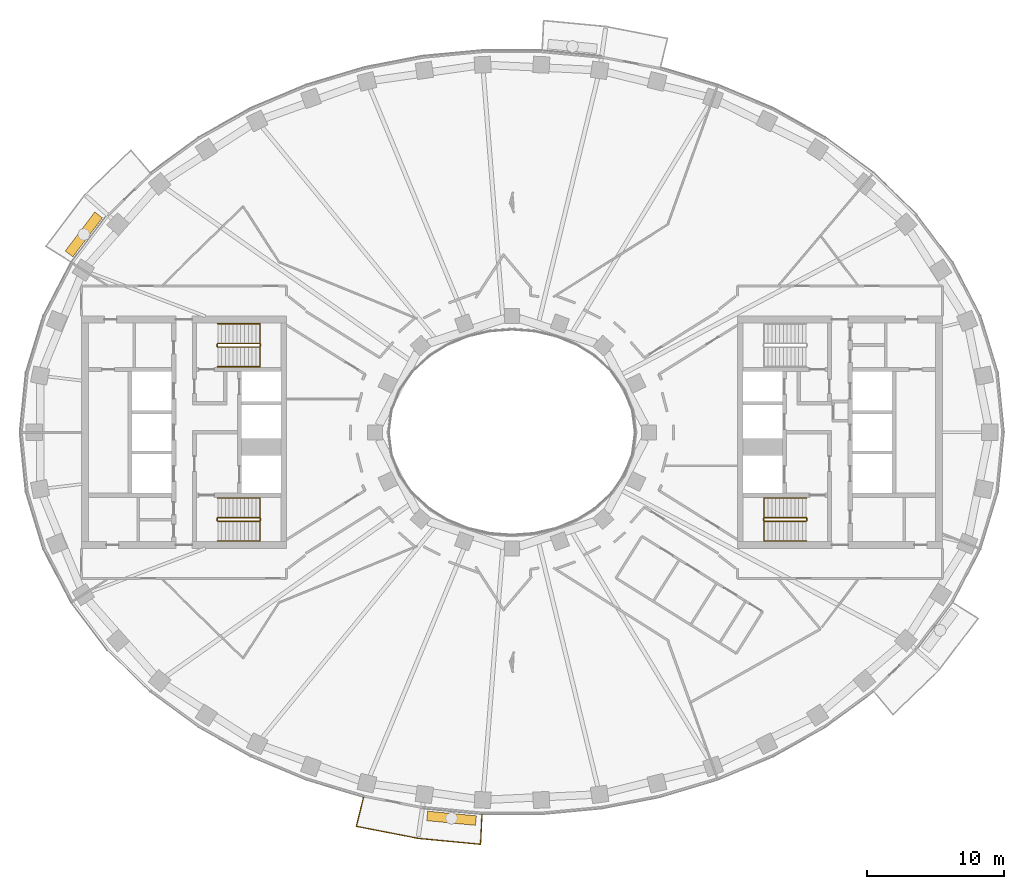
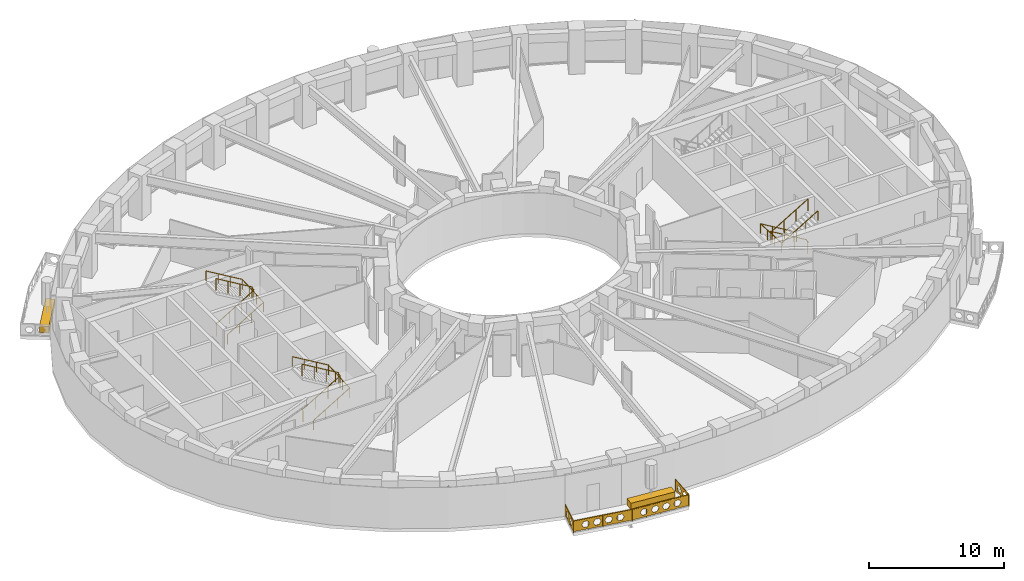
# One storey, part 14 of 16: 7 railings, 2 coverings.
"""IFC4 building model written with IfcOpenShell, lengths in metres."""

from ifc_helpers import new_model, si_unit, direction, frame, origin, origin_2d, place, context, subcontext, project, spatial, polyline, rectangle, outline, extrude, material, type_object, element, save


model = new_model("IFC4")

# Units and contexts
model_context = context("Model", 3, precision=1e-05, world=origin(), true_north=direction((0.0, 1.0)))
body_context = subcontext(model_context, "Body", "Model", "MODEL_VIEW")
ifc_project = project(units=[si_unit("LENGTHUNIT", "METRE"), si_unit("AREAUNIT", "SQUARE_METRE"), si_unit("VOLUMEUNIT", "CUBIC_METRE"), si_unit("PLANEANGLEUNIT", "RADIAN"), si_unit("MASSUNIT", "GRAM", prefix="KILO")], contexts=[model_context])

# Site, building, storey
site_placement = place(None, origin())
site = spatial("IfcSite", under=ifc_project, at=site_placement, CompositionType="ELEMENT")
building_placement = place(site_placement, origin())
building = spatial("IfcBuilding", under=site, at=building_placement, Name="Noorbagh Ring Tower", CompositionType="ELEMENT")
storey_placement = place(building_placement, frame((0.0, 0.0, 166.0)))
storey = spatial("IfcBuildingStorey", under=building, at=storey_placement, Name="L38", CompositionType="ELEMENT", Elevation=166.0)

# Railings
ifc_material_1 = material(Name="Stainless steel", Category="steel")
railing_type_1 = type_object("IfcRailingType", Name="CORE-STAIR-GUARD", PredefinedType="GUARDRAIL", material=ifc_material_1)
railing_1_placement = place(storey_placement, frame((-21.580078125, 6.300048828125, 0.0)))
element("IfcRailing", 1, at=railing_1_placement, inside=storey, type_object=railing_type_1, Name="L38 ST1 stair guard", PredefinedType="GUARDRAIL", context=body_context, shape_type="SweptSolid", body=[
    extrude(rectangle(XDim=0.048095703125, YDim=0.048095703125, at=origin_2d()), frame((0.0, 0.0, 1.076171875), z_axis=(0.0, 1.0, 0.0), x_axis=(-1.0, 0.0, 0.0)), (0.0, 0.0, 1.0), 0.14990234375),
    extrude(rectangle(XDim=0.048095703125, YDim=0.048095703125, at=origin_2d()), frame((0.0, 0.14990234375, 1.076171875), z_axis=(0.188775798145, -0.754182335027, 0.628945707965), x_axis=(0.970072785993, 0.242814311512, 0.0)), (0.0, 0.0, 1.0), 0.26513671875),
    extrude(rectangle(XDim=0.048095703125, YDim=0.048095703125, at=origin_2d()), frame((0.050048828125, -0.050048828125, 1.24267578125), z_axis=(0.859308565015, 0.0, 0.511457515432), x_axis=(0.0, 1.0, 0.0)), (0.0, 0.0, 1.0), 3.58447265625),
    extrude(rectangle(XDim=0.048095703125, YDim=0.048095703125, at=origin_2d()), frame((3.130126953125, -0.050048828125, 3.076171875), z_axis=(0.707106781187, 0.707106781187, 0.0), x_axis=(-0.707106781187, 0.707106781187, 0.0)), (0.0, 0.0, 1.0), 0.07080078125),
    extrude(rectangle(XDim=0.048095703125, YDim=0.048095703125, at=origin_2d()), frame((3.18017578125, 0.0, 3.076171875), z_axis=(0.0, 1.0, 0.0), x_axis=(-1.0, 0.0, 0.0)), (0.0, 0.0, 1.0), 0.14990234375),
    extrude(rectangle(XDim=0.048095703125, YDim=0.048095703125, at=origin_2d()), frame((3.18017578125, 0.14990234375, 3.076171875), z_axis=(-0.27628659633, 0.27628659633, 0.920506074601), x_axis=(-0.707106781187, -0.707106781187, 0.0)), (0.0, 0.0, 1.0), 0.18115234375),
    extrude(rectangle(XDim=0.048095703125, YDim=0.048095703125, at=origin_2d()), frame((3.130126953125, 0.199951171875, 3.24267578125), z_axis=(-0.859308565015, 0.0, 0.511457515432), x_axis=(0.0, -1.0, 0.0)), (0.0, 0.0, 1.0), 3.58447265625),
    extrude(rectangle(XDim=0.0419921875, YDim=0.0419921875, at=origin_2d()), origin(), (0.0, 0.0, 1.0), 1.052001953125),
    extrude(rectangle(XDim=0.0419921875, YDim=0.0419921875, at=origin_2d()), frame((1.07666015625, -0.050048828125, 0.77783203125)), (0.0, 0.0, 1.0), 1.052001953125),
    extrude(rectangle(XDim=0.0419921875, YDim=0.0419921875, at=origin_2d()), frame((2.103515625, -0.050048828125, 1.388916015625)), (0.0, 0.0, 1.0), 1.052001953125),
    extrude(rectangle(XDim=0.0419921875, YDim=0.0419921875, at=origin_2d()), frame((3.130126953125, -0.050048828125, 2.0)), (0.0, 0.0, 1.0), 1.052001953125),
    extrude(rectangle(XDim=0.0419921875, YDim=0.0419921875, at=origin_2d()), frame((3.130126953125, 0.199951171875, 2.166748046875)), (0.0, 0.0, 1.0), 1.052001953125),
    extrude(rectangle(XDim=0.0419921875, YDim=0.0419921875, at=origin_2d()), frame((2.103515625, 0.199951171875, 2.77783203125)), (0.0, 0.0, 1.0), 1.052001953125),
    extrude(rectangle(XDim=0.0419921875, YDim=0.0419921875, at=origin_2d()), frame((1.07666015625, 0.199951171875, 3.388916015625)), (0.0, 0.0, 1.0), 1.052001953125),
    extrude(rectangle(XDim=0.0419921875, YDim=0.0419921875, at=origin_2d()), frame((0.050048828125, 0.199951171875, 4.0)), (0.0, 0.0, 1.0), 1.052001953125),
])
railing_2_placement = place(storey_placement, frame((-21.580078125, -6.449951171875, 0.0)))
element("IfcRailing", 2, at=railing_2_placement, inside=storey, type_object=railing_type_1, Name="L38 ST2 stair guard", PredefinedType="GUARDRAIL", context=body_context, shape_type="SweptSolid", body=[
    extrude(rectangle(XDim=0.048095703125, YDim=0.048095703125, at=origin_2d()), frame((0.0, 0.0, 1.076171875), z_axis=(0.0, 1.0, 0.0), x_axis=(-1.0, 0.0, 0.0)), (0.0, 0.0, 1.0), 0.14990234375),
    extrude(rectangle(XDim=0.048095703125, YDim=0.048095703125, at=origin_2d()), frame((0.0, 0.14990234375, 1.076171875), z_axis=(0.188775798145, -0.754182335027, 0.628945707965), x_axis=(0.970072785993, 0.242814311512, 0.0)), (0.0, 0.0, 1.0), 0.26513671875),
    extrude(rectangle(XDim=0.048095703125, YDim=0.048095703125, at=origin_2d()), frame((0.050048828125, -0.050048828125, 1.24267578125), z_axis=(0.859308565015, 0.0, 0.511457515432), x_axis=(0.0, 1.0, 0.0)), (0.0, 0.0, 1.0), 3.58447265625),
    extrude(rectangle(XDim=0.048095703125, YDim=0.048095703125, at=origin_2d()), frame((3.130126953125, -0.050048828125, 3.076171875), z_axis=(0.707106781187, 0.707106781187, 0.0), x_axis=(-0.707106781187, 0.707106781187, 0.0)), (0.0, 0.0, 1.0), 0.07080078125),
    extrude(rectangle(XDim=0.048095703125, YDim=0.048095703125, at=origin_2d()), frame((3.18017578125, 0.0, 3.076171875), z_axis=(0.0, 1.0, 0.0), x_axis=(-1.0, 0.0, 0.0)), (0.0, 0.0, 1.0), 0.14990234375),
    extrude(rectangle(XDim=0.048095703125, YDim=0.048095703125, at=origin_2d()), frame((3.18017578125, 0.14990234375, 3.076171875), z_axis=(-0.27628659633, 0.27628659633, 0.920506074601), x_axis=(-0.707106781187, -0.707106781187, 0.0)), (0.0, 0.0, 1.0), 0.18115234375),
    extrude(rectangle(XDim=0.048095703125, YDim=0.048095703125, at=origin_2d()), frame((3.130126953125, 0.199951171875, 3.24267578125), z_axis=(-0.859308565015, 0.0, 0.511457515432), x_axis=(0.0, -1.0, 0.0)), (0.0, 0.0, 1.0), 3.58447265625),
    extrude(rectangle(XDim=0.0419921875, YDim=0.0419921875, at=origin_2d()), origin(), (0.0, 0.0, 1.0), 1.052001953125),
    extrude(rectangle(XDim=0.0419921875, YDim=0.0419921875, at=origin_2d()), frame((1.07666015625, -0.050048828125, 0.77783203125)), (0.0, 0.0, 1.0), 1.052001953125),
    extrude(rectangle(XDim=0.0419921875, YDim=0.0419921875, at=origin_2d()), frame((2.103515625, -0.050048828125, 1.388916015625)), (0.0, 0.0, 1.0), 1.052001953125),
    extrude(rectangle(XDim=0.0419921875, YDim=0.0419921875, at=origin_2d()), frame((3.130126953125, -0.050048828125, 2.0)), (0.0, 0.0, 1.0), 1.052001953125),
    extrude(rectangle(XDim=0.0419921875, YDim=0.0419921875, at=origin_2d()), frame((3.130126953125, 0.199951171875, 2.166748046875)), (0.0, 0.0, 1.0), 1.052001953125),
    extrude(rectangle(XDim=0.0419921875, YDim=0.0419921875, at=origin_2d()), frame((2.103515625, 0.199951171875, 2.77783203125)), (0.0, 0.0, 1.0), 1.052001953125),
    extrude(rectangle(XDim=0.0419921875, YDim=0.0419921875, at=origin_2d()), frame((1.07666015625, 0.199951171875, 3.388916015625)), (0.0, 0.0, 1.0), 1.052001953125),
    extrude(rectangle(XDim=0.0419921875, YDim=0.0419921875, at=origin_2d()), frame((0.050048828125, 0.199951171875, 4.0)), (0.0, 0.0, 1.0), 1.052001953125),
])
railing_3_placement = place(storey_placement, frame((21.580078125, -6.300048828125, 0.0)))
element("IfcRailing", 3, at=railing_3_placement, inside=storey, type_object=railing_type_1, Name="L38 ST4 stair guard", PredefinedType="GUARDRAIL", context=body_context, shape_type="SweptSolid", body=[
    extrude(rectangle(XDim=0.048095703125, YDim=0.048095703125, at=origin_2d()), frame((0.0, 0.0, 1.076171875), z_axis=(0.0, -1.0, 0.0), x_axis=(1.0, 0.0, 0.0)), (0.0, 0.0, 1.0), 0.14990234375),
    extrude(rectangle(XDim=0.048095703125, YDim=0.048095703125, at=origin_2d()), frame((0.0, -0.14990234375, 1.076171875), z_axis=(-0.188775798145, 0.754182335027, 0.628945707965), x_axis=(-0.970072785993, -0.242814311512, 0.0)), (0.0, 0.0, 1.0), 0.26513671875),
    extrude(rectangle(XDim=0.048095703125, YDim=0.048095703125, at=origin_2d()), frame((-0.050048828125, 0.050048828125, 1.24267578125), z_axis=(-0.859308565015, 0.0, 0.511457515432), x_axis=(0.0, -1.0, 0.0)), (0.0, 0.0, 1.0), 3.58447265625),
    extrude(rectangle(XDim=0.048095703125, YDim=0.048095703125, at=origin_2d()), frame((-3.130126953125, 0.050048828125, 3.076171875), z_axis=(-0.707106781187, -0.707106781187, 0.0), x_axis=(0.707106781187, -0.707106781187, 0.0)), (0.0, 0.0, 1.0), 0.07080078125),
    extrude(rectangle(XDim=0.048095703125, YDim=0.048095703125, at=origin_2d()), frame((-3.18017578125, 0.0, 3.076171875), z_axis=(0.0, -1.0, 0.0), x_axis=(1.0, 0.0, 0.0)), (0.0, 0.0, 1.0), 0.14990234375),
    extrude(rectangle(XDim=0.048095703125, YDim=0.048095703125, at=origin_2d()), frame((-3.18017578125, -0.14990234375, 3.076171875), z_axis=(0.27628659633, -0.27628659633, 0.920506074601), x_axis=(0.707106781187, 0.707106781187, 0.0)), (0.0, 0.0, 1.0), 0.18115234375),
    extrude(rectangle(XDim=0.048095703125, YDim=0.048095703125, at=origin_2d()), frame((-3.130126953125, -0.199951171875, 3.24267578125), z_axis=(0.859308565015, 0.0, 0.511457515432), x_axis=(0.0, 1.0, 0.0)), (0.0, 0.0, 1.0), 3.58447265625),
    extrude(rectangle(XDim=0.0419921875, YDim=0.0419921875, at=origin_2d()), origin(), (0.0, 0.0, 1.0), 1.052001953125),
    extrude(rectangle(XDim=0.0419921875, YDim=0.0419921875, at=origin_2d()), frame((-1.07666015625, 0.050048828125, 0.77783203125)), (0.0, 0.0, 1.0), 1.052001953125),
    extrude(rectangle(XDim=0.0419921875, YDim=0.0419921875, at=origin_2d()), frame((-2.103515625, 0.050048828125, 1.388916015625)), (0.0, 0.0, 1.0), 1.052001953125),
    extrude(rectangle(XDim=0.0419921875, YDim=0.0419921875, at=origin_2d()), frame((-3.130126953125, 0.050048828125, 2.0)), (0.0, 0.0, 1.0), 1.052001953125),
    extrude(rectangle(XDim=0.0419921875, YDim=0.0419921875, at=origin_2d()), frame((-3.130126953125, -0.199951171875, 2.166748046875)), (0.0, 0.0, 1.0), 1.052001953125),
    extrude(rectangle(XDim=0.0419921875, YDim=0.0419921875, at=origin_2d()), frame((-2.103515625, -0.199951171875, 2.77783203125)), (0.0, 0.0, 1.0), 1.052001953125),
    extrude(rectangle(XDim=0.0419921875, YDim=0.0419921875, at=origin_2d()), frame((-1.07666015625, -0.199951171875, 3.388916015625)), (0.0, 0.0, 1.0), 1.052001953125),
    extrude(rectangle(XDim=0.0419921875, YDim=0.0419921875, at=origin_2d()), frame((-0.050048828125, -0.199951171875, 4.0)), (0.0, 0.0, 1.0), 1.052001953125),
])
ifc_material_2 = material(Name="Stainless steel", Category="steel")
railing_type_2 = type_object("IfcRailingType", Name="CORE-STAIR-HANDRAIL", PredefinedType="HANDRAIL", material=ifc_material_2)
railing_4_placement = place(storey_placement, frame((-21.530029296875, 4.800048828125, 0.166748046875)))
element("IfcRailing", 4, at=railing_4_placement, inside=storey, type_object=railing_type_2, Name="L38 ST1 stair handrail", PredefinedType="HANDRAIL", context=body_context, shape_type="SweptSolid", body=[
    extrude(rectangle(XDim=0.048095703125, YDim=0.048095703125, at=origin_2d()), frame((0.0, 0.0, 0.8759765625), z_axis=(0.859308565015, 0.0, 0.511457515432), x_axis=(0.0, 1.0, 0.0)), (0.0, 0.0, 1.0), 3.58447265625),
    extrude(rectangle(XDim=0.048095703125, YDim=0.048095703125, at=origin_2d()), frame((3.080078125, 0.0, 2.708984375), z_axis=(0.0, 0.998601747152, 0.052863509014), x_axis=(-1.0, 0.0, 0.0)), (0.0, 0.0, 1.0), 3.154296875),
    extrude(rectangle(XDim=0.048095703125, YDim=0.048095703125, at=origin_2d()), frame((3.080078125, 3.14990234375, 2.8759765625), z_axis=(-0.859308565015, 0.0, 0.511457515432), x_axis=(0.0, -1.0, 0.0)), (0.0, 0.0, 1.0), 3.58447265625),
    extrude(rectangle(XDim=0.0419921875, YDim=0.0419921875, at=origin_2d()), origin(), (0.0, 0.0, 1.0), 0.851806640625),
    extrude(rectangle(XDim=0.0419921875, YDim=0.0419921875, at=origin_2d()), frame((1.026611328125, 0.0, 0.611083984375)), (0.0, 0.0, 1.0), 0.851806640625),
    extrude(rectangle(XDim=0.0419921875, YDim=0.0419921875, at=origin_2d()), frame((2.053466796875, 0.0, 1.22216796875)), (0.0, 0.0, 1.0), 0.851806640625),
    extrude(rectangle(XDim=0.0419921875, YDim=0.0419921875, at=origin_2d()), frame((3.080078125, 0.0, 1.833251953125)), (0.0, 0.0, 1.0), 0.851806640625),
    extrude(rectangle(XDim=0.0419921875, YDim=0.0419921875, at=origin_2d()), frame((3.080078125, 1.050048828125, 1.888916015625)), (0.0, 0.0, 1.0), 0.851806640625),
    extrude(rectangle(XDim=0.0419921875, YDim=0.0419921875, at=origin_2d()), frame((3.080078125, 2.099853515625, 1.9443359375)), (0.0, 0.0, 1.0), 0.851806640625),
    extrude(rectangle(XDim=0.0419921875, YDim=0.0419921875, at=origin_2d()), frame((3.080078125, 3.14990234375, 2.0)), (0.0, 0.0, 1.0), 0.851806640625),
    extrude(rectangle(XDim=0.0419921875, YDim=0.0419921875, at=origin_2d()), frame((2.053466796875, 3.14990234375, 2.611083984375)), (0.0, 0.0, 1.0), 0.851806640625),
    extrude(rectangle(XDim=0.0419921875, YDim=0.0419921875, at=origin_2d()), frame((1.026611328125, 3.14990234375, 3.22216796875)), (0.0, 0.0, 1.0), 0.851806640625),
    extrude(rectangle(XDim=0.0419921875, YDim=0.0419921875, at=origin_2d()), frame((0.0, 3.14990234375, 3.833251953125)), (0.0, 0.0, 1.0), 0.851806640625),
])
railing_5_placement = place(storey_placement, frame((-21.530029296875, -7.949951171875, 0.166748046875)))
element("IfcRailing", 5, at=railing_5_placement, inside=storey, type_object=railing_type_2, Name="L38 ST2 stair handrail", PredefinedType="HANDRAIL", context=body_context, shape_type="SweptSolid", body=[
    extrude(rectangle(XDim=0.048095703125, YDim=0.048095703125, at=origin_2d()), frame((0.0, 0.0, 0.8759765625), z_axis=(0.859308565015, 0.0, 0.511457515432), x_axis=(0.0, 1.0, 0.0)), (0.0, 0.0, 1.0), 3.58447265625),
    extrude(rectangle(XDim=0.048095703125, YDim=0.048095703125, at=origin_2d()), frame((3.080078125, 0.0, 2.708984375), z_axis=(0.0, 0.998601747152, 0.052863509014), x_axis=(-1.0, 0.0, 0.0)), (0.0, 0.0, 1.0), 3.154296875),
    extrude(rectangle(XDim=0.048095703125, YDim=0.048095703125, at=origin_2d()), frame((3.080078125, 3.14990234375, 2.8759765625), z_axis=(-0.859308565015, 0.0, 0.511457515432), x_axis=(0.0, -1.0, 0.0)), (0.0, 0.0, 1.0), 3.58447265625),
    extrude(rectangle(XDim=0.0419921875, YDim=0.0419921875, at=origin_2d()), origin(), (0.0, 0.0, 1.0), 0.851806640625),
    extrude(rectangle(XDim=0.0419921875, YDim=0.0419921875, at=origin_2d()), frame((1.026611328125, 0.0, 0.611083984375)), (0.0, 0.0, 1.0), 0.851806640625),
    extrude(rectangle(XDim=0.0419921875, YDim=0.0419921875, at=origin_2d()), frame((2.053466796875, 0.0, 1.22216796875)), (0.0, 0.0, 1.0), 0.851806640625),
    extrude(rectangle(XDim=0.0419921875, YDim=0.0419921875, at=origin_2d()), frame((3.080078125, 0.0, 1.833251953125)), (0.0, 0.0, 1.0), 0.851806640625),
    extrude(rectangle(XDim=0.0419921875, YDim=0.0419921875, at=origin_2d()), frame((3.080078125, 1.050048828125, 1.888916015625)), (0.0, 0.0, 1.0), 0.851806640625),
    extrude(rectangle(XDim=0.0419921875, YDim=0.0419921875, at=origin_2d()), frame((3.080078125, 2.099853515625, 1.9443359375)), (0.0, 0.0, 1.0), 0.851806640625),
    extrude(rectangle(XDim=0.0419921875, YDim=0.0419921875, at=origin_2d()), frame((3.080078125, 3.14990234375, 2.0)), (0.0, 0.0, 1.0), 0.851806640625),
    extrude(rectangle(XDim=0.0419921875, YDim=0.0419921875, at=origin_2d()), frame((2.053466796875, 3.14990234375, 2.611083984375)), (0.0, 0.0, 1.0), 0.851806640625),
    extrude(rectangle(XDim=0.0419921875, YDim=0.0419921875, at=origin_2d()), frame((1.026611328125, 3.14990234375, 3.22216796875)), (0.0, 0.0, 1.0), 0.851806640625),
    extrude(rectangle(XDim=0.0419921875, YDim=0.0419921875, at=origin_2d()), frame((0.0, 3.14990234375, 3.833251953125)), (0.0, 0.0, 1.0), 0.851806640625),
])
railing_6_placement = place(storey_placement, frame((21.530029296875, -4.800048828125, 0.166748046875)))
element("IfcRailing", 6, at=railing_6_placement, inside=storey, type_object=railing_type_2, Name="L38 ST4 stair handrail", PredefinedType="HANDRAIL", context=body_context, shape_type="SweptSolid", body=[
    extrude(rectangle(XDim=0.048095703125, YDim=0.048095703125, at=origin_2d()), frame((0.0, 0.0, 0.8759765625), z_axis=(-0.859308565015, 0.0, 0.511457515432), x_axis=(0.0, -1.0, 0.0)), (0.0, 0.0, 1.0), 3.58447265625),
    extrude(rectangle(XDim=0.048095703125, YDim=0.048095703125, at=origin_2d()), frame((-3.080078125, 0.0, 2.708984375), z_axis=(0.0, -0.998601747152, 0.052863509014), x_axis=(1.0, 0.0, 0.0)), (0.0, 0.0, 1.0), 3.154296875),
    extrude(rectangle(XDim=0.048095703125, YDim=0.048095703125, at=origin_2d()), frame((-3.080078125, -3.14990234375, 2.8759765625), z_axis=(0.859308565015, 0.0, 0.511457515432), x_axis=(0.0, 1.0, 0.0)), (0.0, 0.0, 1.0), 3.58447265625),
    extrude(rectangle(XDim=0.0419921875, YDim=0.0419921875, at=origin_2d()), origin(), (0.0, 0.0, 1.0), 0.851806640625),
    extrude(rectangle(XDim=0.0419921875, YDim=0.0419921875, at=origin_2d()), frame((-1.026611328125, 0.0, 0.611083984375)), (0.0, 0.0, 1.0), 0.851806640625),
    extrude(rectangle(XDim=0.0419921875, YDim=0.0419921875, at=origin_2d()), frame((-2.053466796875, 0.0, 1.22216796875)), (0.0, 0.0, 1.0), 0.851806640625),
    extrude(rectangle(XDim=0.0419921875, YDim=0.0419921875, at=origin_2d()), frame((-3.080078125, 0.0, 1.833251953125)), (0.0, 0.0, 1.0), 0.851806640625),
    extrude(rectangle(XDim=0.0419921875, YDim=0.0419921875, at=origin_2d()), frame((-3.080078125, -1.050048828125, 1.888916015625)), (0.0, 0.0, 1.0), 0.851806640625),
    extrude(rectangle(XDim=0.0419921875, YDim=0.0419921875, at=origin_2d()), frame((-3.080078125, -2.099853515625, 1.9443359375)), (0.0, 0.0, 1.0), 0.851806640625),
    extrude(rectangle(XDim=0.0419921875, YDim=0.0419921875, at=origin_2d()), frame((-3.080078125, -3.14990234375, 2.0)), (0.0, 0.0, 1.0), 0.851806640625),
    extrude(rectangle(XDim=0.0419921875, YDim=0.0419921875, at=origin_2d()), frame((-2.053466796875, -3.14990234375, 2.611083984375)), (0.0, 0.0, 1.0), 0.851806640625),
    extrude(rectangle(XDim=0.0419921875, YDim=0.0419921875, at=origin_2d()), frame((-1.026611328125, -3.14990234375, 3.22216796875)), (0.0, 0.0, 1.0), 0.851806640625),
    extrude(rectangle(XDim=0.0419921875, YDim=0.0419921875, at=origin_2d()), frame((0.0, -3.14990234375, 3.833251953125)), (0.0, 0.0, 1.0), 0.851806640625),
])
ifc_material_3 = material(Name="Steel S275 black powder-coated", Category="steel")
railing_type_3 = type_object("IfcRailingType", Name="ENV-GUARD", PredefinedType="GUARDRAIL", material=ifc_material_3)
railing_7_placement = place(storey_placement, frame((-10.865234375, -26.6943359375, 0.0)))
element("IfcRailing", 7, at=railing_7_placement, inside=storey, type_object=railing_type_3, Name="Balcony guard BS03", PredefinedType="GUARDRAIL", context=body_context, shape_type="SweptSolid", body=[
    extrude(rectangle(XDim=0.048095703125, YDim=0.048095703125, at=origin_2d()), frame((0.0, 0.0, 1.076171875), z_axis=(-0.239848558412, -0.970810315679, 0.0), x_axis=(0.970810315679, -0.239848558412, 0.0)), (0.0, 0.0, 1.0), 2.20263671875),
    extrude(rectangle(XDim=0.048095703125, YDim=0.048095703125, at=origin_2d()), frame((-0.5283203125, -2.138427734375, 1.076171875), z_axis=(0.981625049064, -0.1908199755, 0.0), x_axis=(0.1908199755, 0.981625049064, 0.0)), (0.0, 0.0, 1.0), 4.603271484375),
    extrude(rectangle(XDim=0.048095703125, YDim=0.048095703125, at=origin_2d()), frame((3.990478515625, -3.016845703125, 1.076171875), z_axis=(0.995477555764, -0.094997031379, 0.0), x_axis=(0.094997031379, 0.995477555764, 0.0)), (0.0, 0.0, 1.0), 4.59765625),
    extrude(rectangle(XDim=0.048095703125, YDim=0.048095703125, at=origin_2d()), frame((8.5673828125, -3.45361328125, 1.076171875), z_axis=(0.047554616162, 0.998868639252, 0.0), x_axis=(-0.998868639252, 0.047554616162, 0.0)), (0.0, 0.0, 1.0), 2.202392578125),
    extrude(rectangle(XDim=0.0419921875, YDim=0.0419921875, at=origin_2d()), origin(), (0.0, 0.0, 1.0), 1.052001953125),
    extrude(rectangle(XDim=0.0419921875, YDim=0.0419921875, at=origin_2d()), frame((-0.26416015625, -1.0693359375, 0.0)), (0.0, 0.0, 1.0), 1.052001953125),
    extrude(rectangle(XDim=0.0419921875, YDim=0.0419921875, at=origin_2d()), frame((-0.5283203125, -2.138427734375, 0.0)), (0.0, 0.0, 1.0), 1.052001953125),
    extrude(rectangle(XDim=0.0419921875, YDim=0.0419921875, at=origin_2d()), frame((0.601318359375, -2.35791015625, 0.0)), (0.0, 0.0, 1.0), 1.052001953125),
    extrude(rectangle(XDim=0.0419921875, YDim=0.0419921875, at=origin_2d()), frame((1.73095703125, -2.57763671875, 0.0)), (0.0, 0.0, 1.0), 1.052001953125),
    extrude(rectangle(XDim=0.0419921875, YDim=0.0419921875, at=origin_2d()), frame((2.86083984375, -2.79736328125, 0.0)), (0.0, 0.0, 1.0), 1.052001953125),
    extrude(rectangle(XDim=0.0419921875, YDim=0.0419921875, at=origin_2d()), frame((3.990478515625, -3.016845703125, 0.0)), (0.0, 0.0, 1.0), 1.052001953125),
    extrude(rectangle(XDim=0.0419921875, YDim=0.0419921875, at=origin_2d()), frame((5.134765625, -3.1259765625, 0.0)), (0.0, 0.0, 1.0), 1.052001953125),
    extrude(rectangle(XDim=0.0419921875, YDim=0.0419921875, at=origin_2d()), frame((6.27880859375, -3.2353515625, 0.0)), (0.0, 0.0, 1.0), 1.052001953125),
    extrude(rectangle(XDim=0.0419921875, YDim=0.0419921875, at=origin_2d()), frame((7.423095703125, -3.344482421875, 0.0)), (0.0, 0.0, 1.0), 1.052001953125),
    extrude(rectangle(XDim=0.0419921875, YDim=0.0419921875, at=origin_2d()), frame((8.5673828125, -3.45361328125, 0.0)), (0.0, 0.0, 1.0), 1.052001953125),
    extrude(rectangle(XDim=0.0419921875, YDim=0.0419921875, at=origin_2d()), frame((8.61962890625, -2.353515625, 0.0)), (0.0, 0.0, 1.0), 1.052001953125),
    extrude(rectangle(XDim=0.0419921875, YDim=0.0419921875, at=origin_2d()), frame((8.672119140625, -1.253662109375, 0.0)), (0.0, 0.0, 1.0), 1.052001953125),
    extrude(outline(polyline([(0.0, 0.10009765625), (2.20263671875, 0.10009765625), (2.20263671875, 1.031982421875), (0.0, 1.031982421875), (0.0, 0.10009765625)]), holes=[polyline([(0.96142578125, 0.56591796875), (0.806396484375, 0.83447265625), (0.496337890625, 0.83447265625), (0.34130859375, 0.56591796875), (0.496337890625, 0.297607421875), (0.806396484375, 0.297607421875), (0.96142578125, 0.56591796875)]), polyline([(1.861328125, 0.56591796875), (1.706298828125, 0.83447265625), (1.396240234375, 0.83447265625), (1.241455078125, 0.56591796875), (1.396240234375, 0.297607421875), (1.706298828125, 0.297607421875), (1.861328125, 0.56591796875)])]), frame((0.009765625, -0.00244140625, 0.0), z_axis=(-0.970810315679, 0.239848558412, 0.0), x_axis=(-0.239848558412, -0.970810315679, 0.0)), (0.0, 0.0, 1.0), 0.02001953125),
    extrude(outline(polyline([(0.0, 0.10009765625), (4.603271484375, 0.10009765625), (4.603271484375, 1.031982421875), (0.0, 1.031982421875), (0.0, 0.10009765625)]), holes=[polyline([(1.26171875, 0.56591796875), (1.106689453125, 0.83447265625), (0.796630859375, 0.83447265625), (0.6416015625, 0.56591796875), (0.796630859375, 0.297607421875), (1.106689453125, 0.297607421875), (1.26171875, 0.56591796875)]), polyline([(2.16162109375, 0.56591796875), (2.006591796875, 0.83447265625), (1.69677734375, 0.83447265625), (1.541748046875, 0.56591796875), (1.69677734375, 0.297607421875), (2.006591796875, 0.297607421875), (2.16162109375, 0.56591796875)]), polyline([(3.061767578125, 0.56591796875), (2.90673828125, 0.83447265625), (2.5966796875, 0.83447265625), (2.441650390625, 0.56591796875), (2.5966796875, 0.297607421875), (2.90673828125, 0.297607421875), (3.061767578125, 0.56591796875)]), polyline([(3.961669921875, 0.56591796875), (3.806640625, 0.83447265625), (3.49658203125, 0.83447265625), (3.341796875, 0.56591796875), (3.49658203125, 0.297607421875), (3.806640625, 0.297607421875), (3.961669921875, 0.56591796875)])]), frame((-0.5263671875, -2.128662109375, 0.0), z_axis=(-0.1908199755, -0.981625049064, 0.0), x_axis=(0.981625049064, -0.1908199755, 0.0)), (0.0, 0.0, 1.0), 0.02001953125),
    extrude(outline(polyline([(0.0, 0.10009765625), (4.59765625, 0.10009765625), (4.59765625, 1.031982421875), (0.0, 1.031982421875), (0.0, 0.10009765625)]), holes=[polyline([(1.2587890625, 0.56591796875), (1.103759765625, 0.83447265625), (0.7939453125, 0.83447265625), (0.638916015625, 0.56591796875), (0.7939453125, 0.297607421875), (1.103759765625, 0.297607421875), (1.2587890625, 0.56591796875)]), polyline([(2.158935546875, 0.56591796875), (2.00390625, 0.83447265625), (1.69384765625, 0.83447265625), (1.538818359375, 0.56591796875), (1.69384765625, 0.297607421875), (2.00390625, 0.297607421875), (2.158935546875, 0.56591796875)]), polyline([(3.058837890625, 0.56591796875), (2.90380859375, 0.83447265625), (2.59375, 0.83447265625), (2.43896484375, 0.56591796875), (2.59375, 0.297607421875), (2.90380859375, 0.297607421875), (3.058837890625, 0.56591796875)]), polyline([(3.958740234375, 0.56591796875), (3.803955078125, 0.83447265625), (3.493896484375, 0.83447265625), (3.3388671875, 0.56591796875), (3.493896484375, 0.297607421875), (3.803955078125, 0.297607421875), (3.958740234375, 0.56591796875)])]), frame((3.991455078125, -3.0068359375, 0.0), z_axis=(-0.094997031379, -0.995477555764, 0.0), x_axis=(0.995477555764, -0.094997031379, 0.0)), (0.0, 0.0, 1.0), 0.02001953125),
    extrude(outline(polyline([(0.0, 0.10009765625), (2.202392578125, 0.10009765625), (2.202392578125, 1.031982421875), (0.0, 1.031982421875), (0.0, 0.10009765625)]), holes=[polyline([(0.961181640625, 0.56591796875), (0.80615234375, 0.83447265625), (0.496337890625, 0.83447265625), (0.34130859375, 0.56591796875), (0.496337890625, 0.297607421875), (0.80615234375, 0.297607421875), (0.961181640625, 0.56591796875)]), polyline([(1.861328125, 0.56591796875), (1.706298828125, 0.83447265625), (1.396240234375, 0.83447265625), (1.2412109375, 0.56591796875), (1.396240234375, 0.297607421875), (1.706298828125, 0.297607421875), (1.861328125, 0.56591796875)])]), frame((8.557373046875, -3.453125, 0.0), z_axis=(0.998868639252, -0.047554616162, 0.0), x_axis=(0.047554616162, 0.998868639252, 0.0)), (0.0, 0.0, 1.0), 0.02001953125),
])

# Coverings
ifc_material_4 = material(Name="Concrete C30/37 planter with soil", Category="concrete")
covering_type = type_object("IfcCoveringType", Name="ENV-PLANTER", PredefinedType="CLADDING", material=ifc_material_4)
covering_1_placement = place(storey_placement, frame((-31.329833984375, 14.4833984375, 0.0), z_axis=(0.0, 0.0, 1.0), x_axis=(-0.604020184358, -0.796969018776, 0.0)))
element("IfcCovering", 8, at=covering_1_placement, inside=storey, type_object=covering_type, Name="PLANTER BN06", ObjectType="PLANTER", PredefinedType="CLADDING", context=body_context, shape_type="SweptSolid", body=[
    extrude(rectangle(XDim=3.583251953125, YDim=0.699951171875, at=origin_2d()), origin(), (0.0, 0.0, 1.0), 0.60009765625),
])
covering_2_placement = place(storey_placement, frame((-4.423828125, -28.2373046875, 0.0), z_axis=(0.0, 0.0, 1.0), x_axis=(0.995476497323, -0.095008122171, 0.0)))
element("IfcCovering", 9, at=covering_2_placement, inside=storey, type_object=covering_type, Name="PLANTER BS03", ObjectType="PLANTER", PredefinedType="CLADDING", context=body_context, shape_type="SweptSolid", body=[
    extrude(rectangle(XDim=3.58642578125, YDim=0.699951171875, at=origin_2d()), origin(), (0.0, 0.0, 1.0), 0.60009765625),
])

save(model, "model.ifc")
